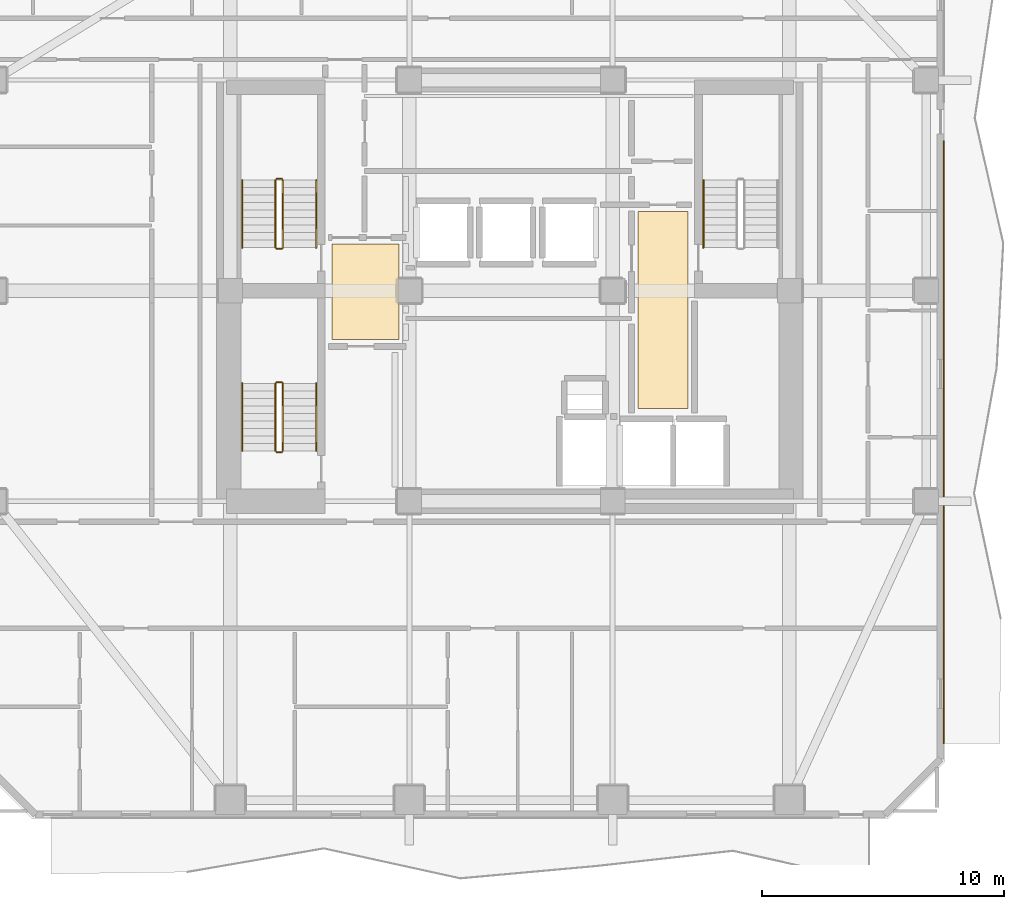
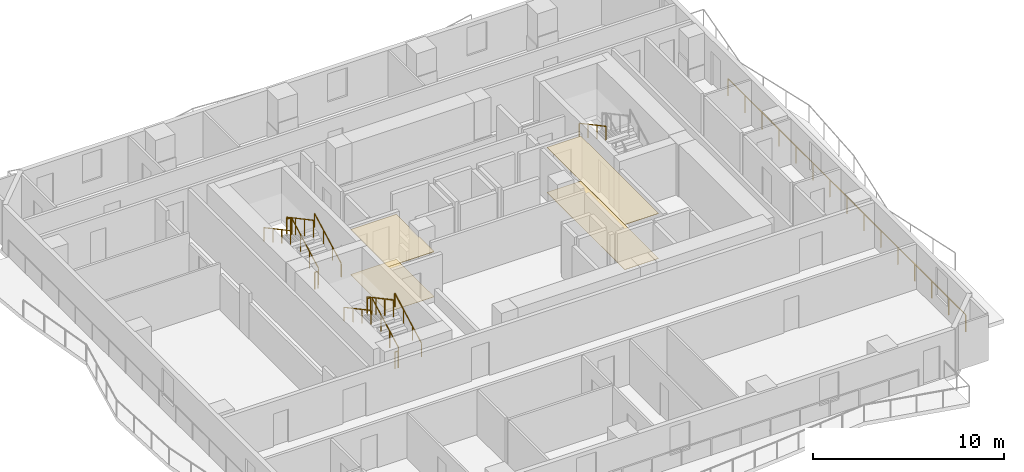
# One storey, part 8 of 10: 14 railings, 4 coverings.
"""IFC4 building model written with IfcOpenShell, lengths in metres."""

from ifc_helpers import new_model, si_unit, direction, frame, origin, origin_2d, place, context, subcontext, project, spatial, polyline, rectangle, outline, extrude, material, layer, layer_set, type_object, element, save


model = new_model("IFC4")

# Units and contexts
model_context = context("Model", 3, precision=1e-05, world=origin(), true_north=direction((0.0, 1.0)))
body_context = subcontext(model_context, "Body", "Model", "MODEL_VIEW")
ifc_project = project(units=[si_unit("LENGTHUNIT", "METRE"), si_unit("AREAUNIT", "SQUARE_METRE"), si_unit("VOLUMEUNIT", "CUBIC_METRE"), si_unit("PLANEANGLEUNIT", "RADIAN"), si_unit("MASSUNIT", "GRAM", prefix="KILO")], contexts=[model_context])

# Site, building, storey
site_placement = place(None, origin())
site = spatial("IfcSite", under=ifc_project, at=site_placement, CompositionType="ELEMENT")
building_placement = place(site_placement, origin())
building = spatial("IfcBuilding", under=site, at=building_placement, Name="Solanera Arch Residences", CompositionType="ELEMENT")
storey_placement = place(building_placement, frame((0.0, 0.0, 122.679931640625)))
storey = spatial("IfcBuildingStorey", under=building, at=storey_placement, Name="L35", CompositionType="ELEMENT", Elevation=122.679931640625)

# Railing
ifc_material_1 = material(Name="Steel S355 (ASTM A992 / A572 Grade 50)", Category="steel")
railing_type_1 = type_object("IfcRailingType", Name="Balustrade Railing BL-1100", PredefinedType="BALUSTRADE", material=ifc_material_1)
railing_1_placement = place(storey_placement, frame((42.8798828125, 36.8779296875, 0.0)))
element("IfcRailing", 1, at=railing_1_placement, inside=storey, type_object=railing_type_1, Name="L35 E Balcony Balustrade 2", PredefinedType="BALUSTRADE", context=body_context, shape_type="SweptSolid", body=[
    extrude(rectangle(XDim=0.048095703125, YDim=0.048095703125, at=origin_2d()), frame((0.0, 0.0, 1.09619140625), z_axis=(0.0, -1.0, 0.0), x_axis=(1.0, 0.0, 0.0)), (0.0, 0.0, 1.0), 24.8779296875),
    extrude(rectangle(XDim=0.0419921875, YDim=0.0419921875, at=origin_2d()), origin(), (0.0, 0.0, 1.0), 1.072021484375),
    extrude(rectangle(XDim=0.0419921875, YDim=0.0419921875, at=origin_2d()), frame((0.0, -1.777099609375, 0.0)), (0.0, 0.0, 1.0), 1.072021484375),
    extrude(rectangle(XDim=0.0419921875, YDim=0.0419921875, at=origin_2d()), frame((0.0, -3.553955078125, 0.0)), (0.0, 0.0, 1.0), 1.072021484375),
    extrude(rectangle(XDim=0.0419921875, YDim=0.0419921875, at=origin_2d()), frame((0.0, -5.3310546875, 0.0)), (0.0, 0.0, 1.0), 1.072021484375),
    extrude(rectangle(XDim=0.0419921875, YDim=0.0419921875, at=origin_2d()), frame((0.0, -7.10791015625, 0.0)), (0.0, 0.0, 1.0), 1.072021484375),
    extrude(rectangle(XDim=0.0419921875, YDim=0.0419921875, at=origin_2d()), frame((0.0, -8.885009765625, 0.0)), (0.0, 0.0, 1.0), 1.072021484375),
    extrude(rectangle(XDim=0.0419921875, YDim=0.0419921875, at=origin_2d()), frame((0.0, -10.661865234375, 0.0)), (0.0, 0.0, 1.0), 1.072021484375),
    extrude(rectangle(XDim=0.0419921875, YDim=0.0419921875, at=origin_2d()), frame((0.0, -12.43896484375, 0.0)), (0.0, 0.0, 1.0), 1.072021484375),
    extrude(rectangle(XDim=0.0419921875, YDim=0.0419921875, at=origin_2d()), frame((0.0, -14.216064453125, 0.0)), (0.0, 0.0, 1.0), 1.072021484375),
    extrude(rectangle(XDim=0.0419921875, YDim=0.0419921875, at=origin_2d()), frame((0.0, -15.992919921875, 0.0)), (0.0, 0.0, 1.0), 1.072021484375),
    extrude(rectangle(XDim=0.0419921875, YDim=0.0419921875, at=origin_2d()), frame((0.0, -17.77001953125, 0.0)), (0.0, 0.0, 1.0), 1.072021484375),
    extrude(rectangle(XDim=0.0419921875, YDim=0.0419921875, at=origin_2d()), frame((0.0, -19.546875, 0.0)), (0.0, 0.0, 1.0), 1.072021484375),
    extrude(rectangle(XDim=0.0419921875, YDim=0.0419921875, at=origin_2d()), frame((0.0, -21.323974609375, 0.0)), (0.0, 0.0, 1.0), 1.072021484375),
    extrude(rectangle(XDim=0.0419921875, YDim=0.0419921875, at=origin_2d()), frame((0.0, -23.100830078125, 0.0)), (0.0, 0.0, 1.0), 1.072021484375),
    extrude(rectangle(XDim=0.0419921875, YDim=0.0419921875, at=origin_2d()), frame((0.0, -24.8779296875, 0.0)), (0.0, 0.0, 1.0), 1.072021484375),
])

# Coverings
ifc_material_2 = material(Name="Porcelain Acoustic Floor Tile", Category="ceramic")
ifc_layer_1 = layer(ifc_material_2, 0.02001953125)
ifc_layer_set_1 = layer_set([ifc_layer_1], Name="Porcelain Acoustic Floor Tile")
covering_type_1 = type_object("IfcCoveringType", Name="Porcelain Acoustic Floor Finish FLR-20", PredefinedType="FLOORING", material=ifc_layer_set_1)
covering_1_placement = place(storey_placement, origin())
element("IfcCovering", 2, at=covering_1_placement, inside=storey, type_object=covering_type_1, Name="L35-FFL-W Porcelain Floor Finish", PredefinedType="FLOORING", context=body_context, shape_type="SweptSolid", body=[
    extrude(outline(polyline([(20.375, 28.675048828125), (17.594970703125, 28.675048828125), (17.594970703125, 32.625), (20.375, 32.625), (20.375, 28.675048828125)])), origin(), (0.0, 0.0, 1.0), 0.02001953125),
])
covering_2_placement = place(storey_placement, origin())
element("IfcCovering", 3, at=covering_2_placement, inside=storey, type_object=covering_type_1, Name="L35-FFL-E Porcelain Floor Finish", PredefinedType="FLOORING", context=body_context, shape_type="SweptSolid", body=[
    extrude(outline(polyline([(32.304931640625, 25.824951171875), (30.25, 25.824951171875), (30.25, 33.97509765625), (32.304931640625, 33.97509765625), (32.304931640625, 25.824951171875)])), origin(), (0.0, 0.0, 1.0), 0.02001953125),
])

# Railings
ifc_material_3 = material(Name="Steel S355 (ASTM A992 / A572 Grade 50)", Category="steel")
railing_type_2 = type_object("IfcRailingType", Name="Stair Guardrail GR-1100", PredefinedType="GUARDRAIL", material=ifc_material_3)
railing_2_placement = place(storey_placement, frame((15.570068359375, 32.47998046875, 0.151123046875)))
element("IfcRailing", 4, at=railing_2_placement, inside=storey, type_object=railing_type_2, Name="L35 ST-T1 stair guard 1", PredefinedType="GUARDRAIL", context=body_context, shape_type="SweptSolid", body=[
    extrude(rectangle(XDim=0.048095703125, YDim=0.048095703125, at=origin_2d()), frame((0.0, 0.0, 1.076171875), z_axis=(0.0, 0.881580869306, 0.472033018838), x_axis=(-1.0, 0.0, 0.0)), (0.0, 0.0, 1.0), 3.164794921875),
    extrude(rectangle(XDim=0.0419921875, YDim=0.0419921875, at=origin_2d()), origin(), (0.0, 0.0, 1.0), 1.052001953125),
    extrude(rectangle(XDim=0.0419921875, YDim=0.0419921875, at=origin_2d()), frame((0.0, 0.929931640625, 0.498046875)), (0.0, 0.0, 1.0), 1.052001953125),
    extrude(rectangle(XDim=0.0419921875, YDim=0.0419921875, at=origin_2d()), frame((0.0, 1.860107421875, 0.995849609375)), (0.0, 0.0, 1.0), 1.052001953125),
    extrude(rectangle(XDim=0.0419921875, YDim=0.0419921875, at=origin_2d()), frame((0.0, 2.7900390625, 1.493896484375)), (0.0, 0.0, 1.0), 1.052001953125),
])
railing_3_placement = place(storey_placement, frame((15.52001953125, 35.320068359375, 1.64501953125)))
element("IfcRailing", 5, at=railing_3_placement, inside=storey, type_object=railing_type_2, Name="L35 ST-T1 stair guard 2", PredefinedType="GUARDRAIL", context=body_context, shape_type="SweptSolid", body=[
    extrude(rectangle(XDim=0.048095703125, YDim=0.048095703125, at=origin_2d()), frame((0.0, 0.0, 1.076171875), z_axis=(-1.0, 0.0, 0.0), x_axis=(0.0, -1.0, 0.0)), (0.0, 0.0, 1.0), 0.199951171875),
    extrude(rectangle(XDim=0.0419921875, YDim=0.0419921875, at=origin_2d()), origin(), (0.0, 0.0, 1.0), 1.052001953125),
    extrude(rectangle(XDim=0.0419921875, YDim=0.0419921875, at=origin_2d()), frame((-0.199951171875, 0.0, 0.0)), (0.0, 0.0, 1.0), 1.052001953125),
])
railing_4_placement = place(storey_placement, frame((15.27001953125, 35.27001953125, 1.81103515625)))
element("IfcRailing", 6, at=railing_4_placement, inside=storey, type_object=railing_type_2, Name="L35 ST-T1 stair guard 3", PredefinedType="GUARDRAIL", context=body_context, shape_type="SweptSolid", body=[
    extrude(rectangle(XDim=0.048095703125, YDim=0.048095703125, at=origin_2d()), frame((0.0, 0.0, 1.076171875), z_axis=(0.0, -0.881548766853, 0.472092969298), x_axis=(1.0, 0.0, 0.0)), (0.0, 0.0, 1.0), 3.1650390625),
    extrude(rectangle(XDim=0.0419921875, YDim=0.0419921875, at=origin_2d()), origin(), (0.0, 0.0, 1.0), 1.052001953125),
    extrude(rectangle(XDim=0.0419921875, YDim=0.0419921875, at=origin_2d()), frame((0.0, -0.929931640625, 0.498046875)), (0.0, 0.0, 1.0), 1.052001953125),
    extrude(rectangle(XDim=0.0419921875, YDim=0.0419921875, at=origin_2d()), frame((0.0, -1.860107421875, 0.99609375)), (0.0, 0.0, 1.0), 1.052001953125),
    extrude(rectangle(XDim=0.0419921875, YDim=0.0419921875, at=origin_2d()), frame((0.0, -2.7900390625, 1.494140625)), (0.0, 0.0, 1.0), 1.052001953125),
])
railing_5_placement = place(storey_placement, frame((15.52001953125, 32.429931640625, -0.014892578125)))
element("IfcRailing", 7, at=railing_5_placement, inside=storey, type_object=railing_type_2, Name="L35 ST-T1 stair guard 4", PredefinedType="GUARDRAIL", context=body_context, shape_type="SweptSolid", body=[
    extrude(rectangle(XDim=0.048095703125, YDim=0.048095703125, at=origin_2d()), frame((0.0, 0.0, 1.076171875), z_axis=(-1.0, 0.0, 0.0), x_axis=(0.0, -1.0, 0.0)), (0.0, 0.0, 1.0), 0.199951171875),
    extrude(rectangle(XDim=0.0419921875, YDim=0.0419921875, at=origin_2d()), origin(), (0.0, 0.0, 1.0), 1.052001953125),
    extrude(rectangle(XDim=0.0419921875, YDim=0.0419921875, at=origin_2d()), frame((-0.199951171875, 0.0, 0.0)), (0.0, 0.0, 1.0), 1.052001953125),
])
railing_6_placement = place(storey_placement, frame((15.570068359375, 24.080078125, 0.151123046875)))
element("IfcRailing", 8, at=railing_6_placement, inside=storey, type_object=railing_type_2, Name="L35 ST-T3 stair guard 1", PredefinedType="GUARDRAIL", context=body_context, shape_type="SweptSolid", body=[
    extrude(rectangle(XDim=0.048095703125, YDim=0.048095703125, at=origin_2d()), frame((0.0, 0.0, 1.076171875), z_axis=(0.0, 0.881580869306, 0.472033018838), x_axis=(-1.0, 0.0, 0.0)), (0.0, 0.0, 1.0), 3.164794921875),
    extrude(rectangle(XDim=0.0419921875, YDim=0.0419921875, at=origin_2d()), origin(), (0.0, 0.0, 1.0), 1.052001953125),
    extrude(rectangle(XDim=0.0419921875, YDim=0.0419921875, at=origin_2d()), frame((0.0, 0.929931640625, 0.498046875)), (0.0, 0.0, 1.0), 1.052001953125),
    extrude(rectangle(XDim=0.0419921875, YDim=0.0419921875, at=origin_2d()), frame((0.0, 1.860107421875, 0.995849609375)), (0.0, 0.0, 1.0), 1.052001953125),
    extrude(rectangle(XDim=0.0419921875, YDim=0.0419921875, at=origin_2d()), frame((0.0, 2.7900390625, 1.493896484375)), (0.0, 0.0, 1.0), 1.052001953125),
])
railing_7_placement = place(storey_placement, frame((15.52001953125, 26.919921875, 1.64501953125)))
element("IfcRailing", 9, at=railing_7_placement, inside=storey, type_object=railing_type_2, Name="L35 ST-T3 stair guard 2", PredefinedType="GUARDRAIL", context=body_context, shape_type="SweptSolid", body=[
    extrude(rectangle(XDim=0.048095703125, YDim=0.048095703125, at=origin_2d()), frame((0.0, 0.0, 1.076171875), z_axis=(-1.0, 0.0, 0.0), x_axis=(0.0, -1.0, 0.0)), (0.0, 0.0, 1.0), 0.199951171875),
    extrude(rectangle(XDim=0.0419921875, YDim=0.0419921875, at=origin_2d()), origin(), (0.0, 0.0, 1.0), 1.052001953125),
    extrude(rectangle(XDim=0.0419921875, YDim=0.0419921875, at=origin_2d()), frame((-0.199951171875, 0.0, 0.0)), (0.0, 0.0, 1.0), 1.052001953125),
])
railing_8_placement = place(storey_placement, frame((15.27001953125, 26.8701171875, 1.81103515625)))
element("IfcRailing", 10, at=railing_8_placement, inside=storey, type_object=railing_type_2, Name="L35 ST-T3 stair guard 3", PredefinedType="GUARDRAIL", context=body_context, shape_type="SweptSolid", body=[
    extrude(rectangle(XDim=0.048095703125, YDim=0.048095703125, at=origin_2d()), frame((0.0, 0.0, 1.076171875), z_axis=(0.0, -0.881548766853, 0.472092969298), x_axis=(1.0, 0.0, 0.0)), (0.0, 0.0, 1.0), 3.1650390625),
    extrude(rectangle(XDim=0.0419921875, YDim=0.0419921875, at=origin_2d()), origin(), (0.0, 0.0, 1.0), 1.052001953125),
    extrude(rectangle(XDim=0.0419921875, YDim=0.0419921875, at=origin_2d()), frame((0.0, -0.929931640625, 0.498046875)), (0.0, 0.0, 1.0), 1.052001953125),
    extrude(rectangle(XDim=0.0419921875, YDim=0.0419921875, at=origin_2d()), frame((0.0, -1.860107421875, 0.99609375)), (0.0, 0.0, 1.0), 1.052001953125),
    extrude(rectangle(XDim=0.0419921875, YDim=0.0419921875, at=origin_2d()), frame((0.0, -2.7900390625, 1.494140625)), (0.0, 0.0, 1.0), 1.052001953125),
])
railing_9_placement = place(storey_placement, frame((15.52001953125, 24.030029296875, -0.014892578125)))
element("IfcRailing", 11, at=railing_9_placement, inside=storey, type_object=railing_type_2, Name="L35 ST-T3 stair guard 4", PredefinedType="GUARDRAIL", context=body_context, shape_type="SweptSolid", body=[
    extrude(rectangle(XDim=0.048095703125, YDim=0.048095703125, at=origin_2d()), frame((0.0, 0.0, 1.076171875), z_axis=(-1.0, 0.0, 0.0), x_axis=(0.0, -1.0, 0.0)), (0.0, 0.0, 1.0), 0.199951171875),
    extrude(rectangle(XDim=0.0419921875, YDim=0.0419921875, at=origin_2d()), origin(), (0.0, 0.0, 1.0), 1.052001953125),
    extrude(rectangle(XDim=0.0419921875, YDim=0.0419921875, at=origin_2d()), frame((-0.199951171875, 0.0, 0.0)), (0.0, 0.0, 1.0), 1.052001953125),
])
ifc_material_4 = material(Name="Steel S355 (ASTM A992 / A572 Grade 50)", Category="steel")
railing_type_3 = type_object("IfcRailingType", Name="Stair Wall Handrail HR-920", PredefinedType="HANDRAIL", material=ifc_material_4)
railing_10_placement = place(storey_placement, frame((16.949951171875, 32.47998046875, 0.166015625)))
element("IfcRailing", 12, at=railing_10_placement, inside=storey, type_object=railing_type_3, Name="L35 ST-T1 stair handrail 1", PredefinedType="HANDRAIL", context=body_context, shape_type="SweptSolid", body=[
    extrude(rectangle(XDim=0.048095703125, YDim=0.048095703125, at=origin_2d()), frame((0.0, 0.0, 0.8759765625), z_axis=(0.0, 0.881548766853, 0.472092969298), x_axis=(-1.0, 0.0, 0.0)), (0.0, 0.0, 1.0), 3.1650390625),
    extrude(rectangle(XDim=0.0419921875, YDim=0.0419921875, at=origin_2d()), origin(), (0.0, 0.0, 1.0), 0.851806640625),
    extrude(rectangle(XDim=0.0419921875, YDim=0.0419921875, at=origin_2d()), frame((0.0, 0.929931640625, 0.498046875)), (0.0, 0.0, 1.0), 0.851806640625),
    extrude(rectangle(XDim=0.0419921875, YDim=0.0419921875, at=origin_2d()), frame((0.0, 1.860107421875, 0.99609375)), (0.0, 0.0, 1.0), 0.851806640625),
    extrude(rectangle(XDim=0.0419921875, YDim=0.0419921875, at=origin_2d()), frame((0.0, 2.7900390625, 1.494140625)), (0.0, 0.0, 1.0), 0.851806640625),
])
for number, where, name in (
    (13, (13.889892578125, 35.27001953125, 1.826171875), "L35 ST-T1 stair handrail 2"),
    (14, (32.949951171875, 35.27001953125, 1.826171875), "L35 ST-T2 stair handrail 2"),
):
    element("IfcRailing", number, at=place(storey_placement, frame(where)), inside=storey, type_object=railing_type_3, Name=name, PredefinedType="HANDRAIL", context=body_context, shape_type="SweptSolid", body=[
        extrude(rectangle(XDim=0.048095703125, YDim=0.048095703125, at=origin_2d()), frame((0.0, 0.0, 0.8759765625), z_axis=(0.0, -0.881580869306, 0.472033018838), x_axis=(1.0, 0.0, 0.0)), (0.0, 0.0, 1.0), 3.164794921875),
        extrude(rectangle(XDim=0.0419921875, YDim=0.0419921875, at=origin_2d()), origin(), (0.0, 0.0, 1.0), 0.851806640625),
        extrude(rectangle(XDim=0.0419921875, YDim=0.0419921875, at=origin_2d()), frame((0.0, -0.929931640625, 0.498046875)), (0.0, 0.0, 1.0), 0.851806640625),
        extrude(rectangle(XDim=0.0419921875, YDim=0.0419921875, at=origin_2d()), frame((0.0, -1.860107421875, 0.995849609375)), (0.0, 0.0, 1.0), 0.851806640625),
        extrude(rectangle(XDim=0.0419921875, YDim=0.0419921875, at=origin_2d()), frame((0.0, -2.7900390625, 1.493896484375)), (0.0, 0.0, 1.0), 0.851806640625),
    ])
railing_11_placement = place(storey_placement, frame((16.949951171875, 24.080078125, 0.166015625)))
element("IfcRailing", 15, at=railing_11_placement, inside=storey, type_object=railing_type_3, Name="L35 ST-T3 stair handrail 1", PredefinedType="HANDRAIL", context=body_context, shape_type="SweptSolid", body=[
    extrude(rectangle(XDim=0.048095703125, YDim=0.048095703125, at=origin_2d()), frame((0.0, 0.0, 0.8759765625), z_axis=(0.0, 0.881548766853, 0.472092969298), x_axis=(-1.0, 0.0, 0.0)), (0.0, 0.0, 1.0), 3.1650390625),
    extrude(rectangle(XDim=0.0419921875, YDim=0.0419921875, at=origin_2d()), origin(), (0.0, 0.0, 1.0), 0.851806640625),
    extrude(rectangle(XDim=0.0419921875, YDim=0.0419921875, at=origin_2d()), frame((0.0, 0.929931640625, 0.498046875)), (0.0, 0.0, 1.0), 0.851806640625),
    extrude(rectangle(XDim=0.0419921875, YDim=0.0419921875, at=origin_2d()), frame((0.0, 1.860107421875, 0.99609375)), (0.0, 0.0, 1.0), 0.851806640625),
    extrude(rectangle(XDim=0.0419921875, YDim=0.0419921875, at=origin_2d()), frame((0.0, 2.7900390625, 1.494140625)), (0.0, 0.0, 1.0), 0.851806640625),
])
railing_12_placement = place(storey_placement, frame((13.889892578125, 26.8701171875, 1.826171875)))
element("IfcRailing", 16, at=railing_12_placement, inside=storey, type_object=railing_type_3, Name="L35 ST-T3 stair handrail 2", PredefinedType="HANDRAIL", context=body_context, shape_type="SweptSolid", body=[
    extrude(rectangle(XDim=0.048095703125, YDim=0.048095703125, at=origin_2d()), frame((0.0, 0.0, 0.8759765625), z_axis=(0.0, -0.881580869306, 0.472033018838), x_axis=(1.0, 0.0, 0.0)), (0.0, 0.0, 1.0), 3.164794921875),
    extrude(rectangle(XDim=0.0419921875, YDim=0.0419921875, at=origin_2d()), origin(), (0.0, 0.0, 1.0), 0.851806640625),
    extrude(rectangle(XDim=0.0419921875, YDim=0.0419921875, at=origin_2d()), frame((0.0, -0.929931640625, 0.498046875)), (0.0, 0.0, 1.0), 0.851806640625),
    extrude(rectangle(XDim=0.0419921875, YDim=0.0419921875, at=origin_2d()), frame((0.0, -1.860107421875, 0.995849609375)), (0.0, 0.0, 1.0), 0.851806640625),
    extrude(rectangle(XDim=0.0419921875, YDim=0.0419921875, at=origin_2d()), frame((0.0, -2.7900390625, 1.493896484375)), (0.0, 0.0, 1.0), 0.851806640625),
])

# Coverings
ifc_material_5 = material(Name="Mineral Fibre Acoustic Ceiling Board", Category="gypsum")
ifc_layer_2 = layer(ifc_material_5, 0.02490234375)
ifc_layer_set_2 = layer_set([ifc_layer_2], Name="Mineral Fibre Acoustic Ceiling Board")
covering_type_2 = type_object("IfcCoveringType", Name="Suspended Acoustic Ceiling Board CLG-25", PredefinedType="CEILING", material=ifc_layer_set_2)
covering_3_placement = place(storey_placement, frame((0.0, 0.0, 2.875)))
element("IfcCovering", 17, at=covering_3_placement, inside=storey, type_object=covering_type_2, Name="L35-FFL-W Acoustic Ceiling", PredefinedType="CEILING", context=body_context, shape_type="SweptSolid", body=[
    extrude(outline(polyline([(20.375, 28.675048828125), (17.594970703125, 28.675048828125), (17.594970703125, 32.625), (20.375, 32.625), (20.375, 28.675048828125)])), origin(), (0.0, 0.0, 1.0), 0.025146484375),
])
covering_4_placement = place(storey_placement, frame((0.0, 0.0, 2.875)))
element("IfcCovering", 18, at=covering_4_placement, inside=storey, type_object=covering_type_2, Name="L35-FFL-E Acoustic Ceiling", PredefinedType="CEILING", context=body_context, shape_type="SweptSolid", body=[
    extrude(outline(polyline([(32.304931640625, 25.824951171875), (30.25, 25.824951171875), (30.25, 33.97509765625), (32.304931640625, 33.97509765625), (32.304931640625, 25.824951171875)])), origin(), (0.0, 0.0, 1.0), 0.025146484375),
])

save(model, "model.ifc")
